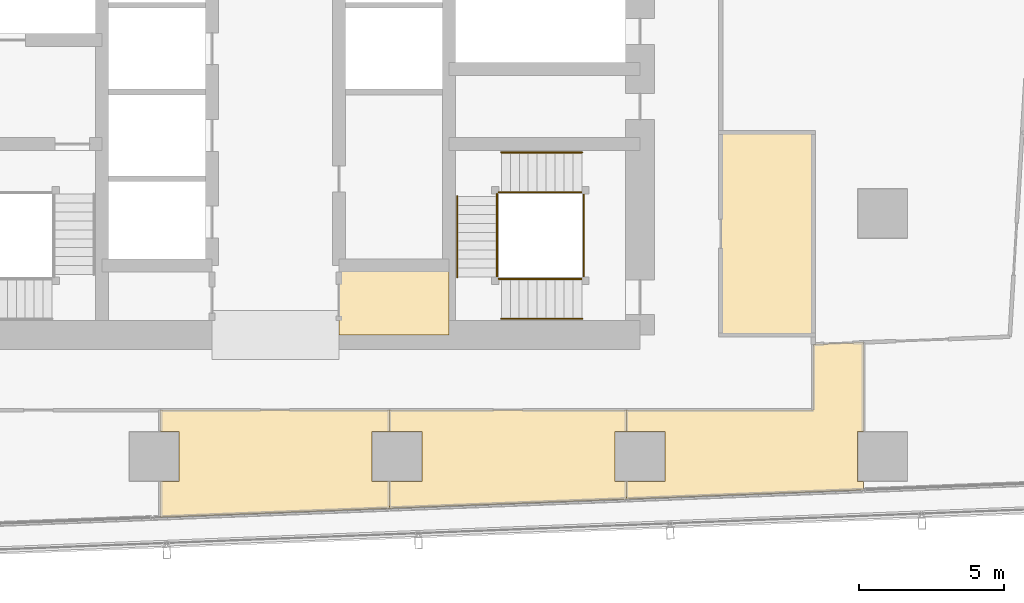
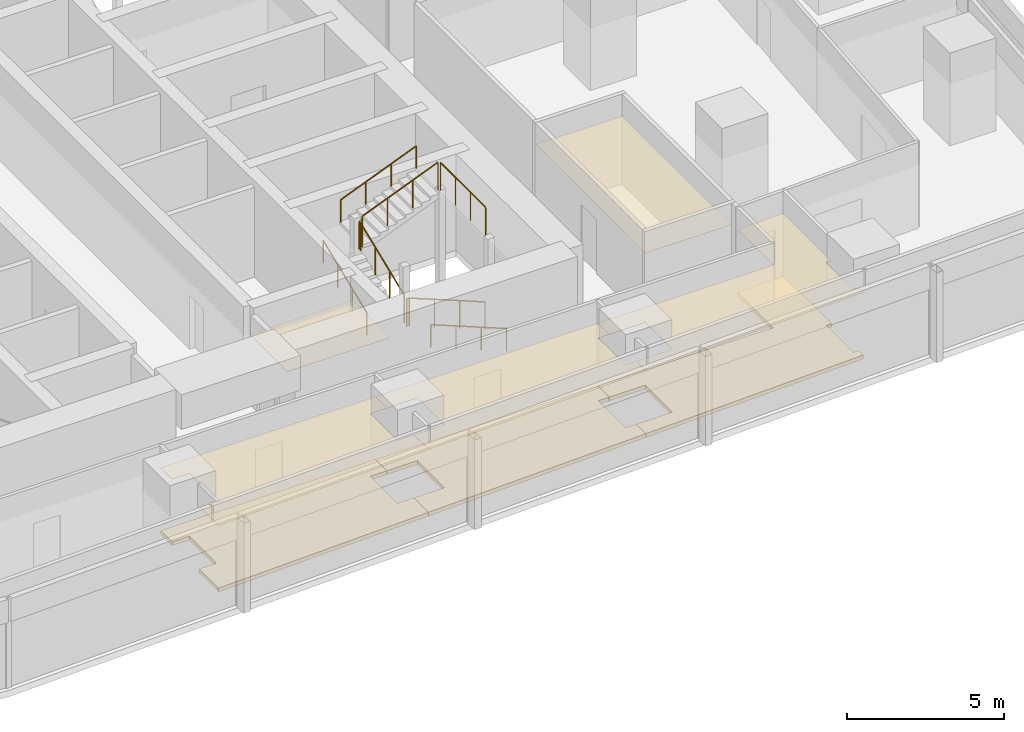
# One storey, part 37 of 40: 10 railings, 8 coverings.
"""IFC4 building model written with IfcOpenShell, lengths in metres."""

import ifcopenshell
import ifcopenshell.guid

model = None  # the IFC model being written
_history = None  # IfcOwnerHistory: only IFC2X3 demands one
_inside = {}  # id of a spatial element -> (the spatial element, [elements in it])
_under = {}  # id of a project, library or spatial element -> (it, [spatial elements below it])
_declared = {}  # id of a project -> (the project, [libraries it declares])
_typed = {}  # id of a type object -> (the type object, [elements of that type])
_made_of = {}  # id of a material, layer set ... -> (it, [elements and type objects made of it])


def new_model(schema):
    """Start an empty IFC model of exactly this schema.

    Asked for "IFC4X3", IfcOpenShell would pick the latest addendum, in which some entities
    have other attributes; the version numbers below select the first issue.
    IFC2X3 requires an IfcOwnerHistory on every rooted entity: one is made here for all.
    """
    global model, _history
    if schema == "IFC4X3":
        model = ifcopenshell.file(schema_version=(4, 3, 0, 0))
    else:
        model = ifcopenshell.file(schema=schema)
    _inside.clear()
    _under.clear()
    _declared.clear()
    _typed.clear()
    _made_of.clear()
    _history = None
    if model.schema == "IFC2X3":
        org = make("IfcOrganization", Name="unknown")
        user = make(
            "IfcPersonAndOrganization",
            ThePerson=make("IfcPerson", FamilyName="unknown"),
            TheOrganization=org,
        )
        app = make(
            "IfcApplication",
            ApplicationDeveloper=org,
            Version="unknown",
            ApplicationFullName="unknown",
            ApplicationIdentifier="unknown",
        )
        _history = make(
            "IfcOwnerHistory",
            OwningUser=user,
            OwningApplication=app,
            ChangeAction="ADDED",
            CreationDate=0,
        )
    return model


def make(cls, **values):
    """One entity of the class cls with the attributes given. An attribute that is None is left unset."""
    return model.create_entity(
        cls, **{name: value for name, value in values.items() if value is not None}
    )


def rooted(cls, **values):
    """An entity with a GlobalId (a new one), such as an element, a storey or a relation."""
    return make(cls, GlobalId=ifcopenshell.guid.new(), OwnerHistory=_history, **values)


def si_unit(unit_type, name, prefix=None):
    """IfcSIUnit, for example si_unit("LENGTHUNIT", "METRE", prefix="MILLI")."""
    return make("IfcSIUnit", UnitType=unit_type, Prefix=prefix, Name=name)


def assignment(units):
    """IfcUnitAssignment: the units of a project."""
    return None if units is None else make("IfcUnitAssignment", Units=units)


def point(xyz):
    """IfcCartesianPoint."""
    return None if xyz is None else make("IfcCartesianPoint", Coordinates=xyz)


def direction(xyz):
    """IfcDirection."""
    return None if xyz is None else make("IfcDirection", DirectionRatios=xyz)


def frame(location, z_axis=None, x_axis=None):
    """IfcAxis2Placement3D, a coordinate frame: its origin and axes. An axis left out is left unset."""
    return make(
        "IfcAxis2Placement3D",
        Location=point(location),
        Axis=direction(z_axis),
        RefDirection=direction(x_axis),
    )


def frame_2d(location, x_axis=None):
    """IfcAxis2Placement2D, a coordinate frame in the plane: its origin and x axis."""
    return make(
        "IfcAxis2Placement2D", Location=point(location), RefDirection=direction(x_axis)
    )


def origin():
    """The frame at (0, 0, 0) with its axes left unset."""
    return frame((0.0, 0.0, 0.0))


def origin_2d():
    """The frame at (0, 0) in the plane with its x axis left unset."""
    return frame_2d((0.0, 0.0))


def place(relative_to, where):
    """IfcLocalPlacement: puts the frame where relative to a parent placement (None: the world)."""
    return make(
        "IfcLocalPlacement", PlacementRelTo=relative_to, RelativePlacement=where
    )


def context(
    kind, dimensions, precision=None, world=None, true_north=None, identifier=None
):
    """IfcGeometricRepresentationContext, for example the 3D "Model" context."""
    return make(
        "IfcGeometricRepresentationContext",
        ContextIdentifier=identifier,
        ContextType=kind,
        CoordinateSpaceDimension=dimensions,
        Precision=precision,
        WorldCoordinateSystem=world,
        TrueNorth=true_north,
    )


def subcontext(parent, identifier, kind, view, scale=None):
    """IfcGeometricRepresentationSubContext, for example "Body" below "Model"."""
    return make(
        "IfcGeometricRepresentationSubContext",
        ContextIdentifier=identifier,
        ContextType=kind,
        ParentContext=parent,
        TargetScale=scale,
        TargetView=view,
    )


def project(units=None, contexts=None):
    """IfcProject with its units and contexts."""
    return rooted(
        "IfcProject",
        Name="project",
        RepresentationContexts=contexts,
        UnitsInContext=assignment(units),
    )


def spatial(cls, under=None, at=None, **own):
    """A site, building, storey or space (cls), placed at a placement, below another one or the project."""
    s = rooted(cls, ObjectPlacement=at, **own)
    if under is not None:
        _under.setdefault(under.id(), (under, []))[1].append(s)
    return s


def polyline(points):
    """IfcPolyline through the points."""
    return make("IfcPolyline", Points=[point(p) for p in points])


def profile(cls, at=None, kind="AREA", **sizes):
    """A parametric profile (cls). Its sizes go by their IFC names, for example OverallWidth=200.0."""
    return make(cls, ProfileType=kind, Position=at, **sizes)


def circle(**sizes):
    """IfcCircleProfileDef."""
    return profile("IfcCircleProfileDef", **sizes)


def outline(outer, holes=None, kind="AREA"):
    """IfcArbitraryClosedProfileDef: a profile drawn as a closed curve; with holes, ...WithVoids."""
    if holes is None:
        return make("IfcArbitraryClosedProfileDef", ProfileType=kind, OuterCurve=outer)
    return make(
        "IfcArbitraryProfileDefWithVoids",
        ProfileType=kind,
        OuterCurve=outer,
        InnerCurves=holes,
    )


def extrude(swept, where, along, depth):
    """IfcExtrudedAreaSolid: the profile swept, set in the frame where, extruded along a direction by depth."""
    return make(
        "IfcExtrudedAreaSolid",
        SweptArea=swept,
        Position=where,
        ExtrudedDirection=direction(along),
        Depth=depth,
    )


def shape(context_of_items, identifier, shape_type, items):
    """IfcShapeRepresentation: the items that make up one representation, for example the "Body"."""
    return make(
        "IfcShapeRepresentation",
        ContextOfItems=context_of_items,
        RepresentationIdentifier=identifier,
        RepresentationType=shape_type,
        Items=items,
    )


def material(Name=None, Category=None):
    """IfcMaterial."""
    return make("IfcMaterial", Name=Name, Category=Category)


def layer(
    of_material, thickness, ventilated=None, Name=None, Category=None, Priority=None
):
    """IfcMaterialLayer: one layer of a wall or slab, of a material (None: an air gap)."""
    return make(
        "IfcMaterialLayer",
        Material=of_material,
        LayerThickness=thickness,
        IsVentilated=ventilated,
        Name=Name,
        Category=Category,
        Priority=Priority,
    )


def layer_set(layers, Name=None):
    """IfcMaterialLayerSet."""
    return make("IfcMaterialLayerSet", MaterialLayers=layers, LayerSetName=Name)


def made_of(thing, what):
    """Note that an element or type object is made of a material, layer set ...; save() writes the relation."""
    if what is not None:
        _made_of.setdefault(what.id(), (what, []))[1].append(thing)
    return thing


def type_object(cls, material=None, **own):
    """A type object (cls), such as IfcWallType, which elements share."""
    return made_of(rooted(cls, **own), material)


def element(
    cls,
    number,
    at=None,
    inside=None,
    cuts=None,
    type_object=None,
    material=None,
    context=None,
    identifier="Body",
    shape_type=None,
    held_by="IfcProductDefinitionShape",
    body=None,
    shapes=None,
    **own,
):
    """One element of the class cls, such as IfcWall. Its Tag is "e" and its number.

    at: its placement. inside: the storey or other place that contains it. cuts: it is an
    opening in that element (IfcRelVoidsElement). A single representation is given by context,
    identifier, shape_type and body (its items); several are given by shapes. held_by: the class
    of the entity that holds the representations. save() writes the other relations.
    """
    e = rooted(cls, Tag="e%d" % number, ObjectPlacement=at, **own)
    if body is not None:
        shapes = [shape(context, identifier, shape_type, body)]
    if shapes is not None:
        e.Representation = make(held_by, Representations=shapes)
    if inside is not None:
        _inside.setdefault(inside.id(), (inside, []))[1].append(e)
    if cuts is not None:
        rooted(
            "IfcRelVoidsElement", RelatingBuildingElement=cuts, RelatedOpeningElement=e
        )
    if type_object is not None:
        _typed.setdefault(type_object.id(), (type_object, []))[1].append(e)
    return made_of(e, material)


def aggregate(whole, parts):
    """IfcRelAggregates: a whole, such as a stair, and the parts it consists of."""
    return rooted("IfcRelAggregates", RelatingObject=whole, RelatedObjects=parts)


def save(model, path):
    """Write the relations noted so far, then the file.

    IfcRelAggregates (storeys below a building ...), IfcRelContainedInSpatialStructure (elements
    in a storey), IfcRelDefinesByType, IfcRelAssociatesMaterial and IfcRelDeclares: one each for
    every whole, place, type object, material and project.
    """
    for whole, parts in _under.values():
        aggregate(whole, parts)
    for where, things in _inside.values():
        rooted(
            "IfcRelContainedInSpatialStructure",
            RelatedElements=things,
            RelatingStructure=where,
        )
    for kind, things in _typed.values():
        rooted("IfcRelDefinesByType", RelatedObjects=things, RelatingType=kind)
    for what, things in _made_of.values():
        rooted("IfcRelAssociatesMaterial", RelatedObjects=things, RelatingMaterial=what)
    for by, libraries in _declared.values():
        rooted("IfcRelDeclares", RelatingContext=by, RelatedDefinitions=libraries)
    model.write(path)


model = new_model("IFC4")

# Units and contexts
model_context = context("Model", 3, precision=1e-05, world=origin(), true_north=direction((0.0, 1.0)))
body_context = subcontext(model_context, "Body", "Model", "MODEL_VIEW")
ifc_project = project(units=[si_unit("LENGTHUNIT", "METRE"), si_unit("AREAUNIT", "SQUARE_METRE"), si_unit("VOLUMEUNIT", "CUBIC_METRE"), si_unit("PLANEANGLEUNIT", "RADIAN"), si_unit("MASSUNIT", "GRAM", prefix="KILO")], contexts=[model_context])

# Site, building, storey
site_placement = place(None, origin())
site = spatial("IfcSite", under=ifc_project, at=site_placement, CompositionType="ELEMENT")
building_placement = place(site_placement, origin())
building = spatial("IfcBuilding", under=site, at=building_placement, Name="Rekha Terrace Tower", CompositionType="ELEMENT")
storey_placement = place(building_placement, frame((0.0, 0.0, 136.550048828125)))
storey = spatial("IfcBuildingStorey", under=building, at=storey_placement, Name="L34", CompositionType="ELEMENT", Elevation=136.550048828125)

# Coverings
ifc_material_1 = material(Name="Mineral fibre tile in exposed grid", Category="finish")
ifc_layer_1 = layer(ifc_material_1, 0.02001953125)
ifc_layer_set_1 = layer_set([ifc_layer_1], Name="Mineral fibre tile in exposed grid")
covering_type_1 = type_object("IfcCoveringType", Name="CL1 600x1200 office grid ceiling", PredefinedType="CEILING", material=ifc_layer_set_1)
covering_1_placement = place(storey_placement, frame((0.0, 0.0, 2.579833984375)))
element("IfcCovering", 1, at=covering_1_placement, inside=storey, type_object=covering_type_1, Name="Ceiling L34-02", PredefinedType="CEILING", context=body_context, shape_type="SweptSolid", body=[
    extrude(outline(polyline([(49.93603515625, 17.6650390625), (49.93603515625, 18.39990234375), (41.740966796875, 18.39990234375), (41.740966796875, 17.6650390625), (42.864990234375, 17.6650390625), (42.864990234375, 15.93505859375), (41.740966796875, 15.93505859375), (41.740966796875, 15.0), (49.93603515625, 15.319091796875), (49.93603515625, 15.93505859375), (49.534912109375, 15.93505859375), (49.534912109375, 17.6650390625), (49.93603515625, 17.6650390625)])), origin(), (0.0, 0.0, 1.0), 0.02001953125),
])
covering_2_placement = place(storey_placement, frame((0.0, 0.0, 2.579833984375)))
element("IfcCovering", 2, at=covering_2_placement, inside=storey, type_object=covering_type_1, Name="Ceiling L34-03", PredefinedType="CEILING", context=body_context, shape_type="SweptSolid", body=[
    extrude(outline(polyline([(56.39990234375, 20.674072265625), (56.39990234375, 18.39990234375), (49.93701171875, 18.39990234375), (49.93701171875, 17.6650390625), (51.264892578125, 17.6650390625), (51.264892578125, 15.93505859375), (49.93701171875, 15.93505859375), (49.93701171875, 15.319091796875), (58.133056640625, 15.637939453125), (58.133056640625, 15.93505859375), (57.93505859375, 15.93505859375), (57.93505859375, 17.6650390625), (58.133056640625, 17.6650390625), (58.133056640625, 20.741943359375), (56.39990234375, 20.674072265625)])), origin(), (0.0, 0.0, 1.0), 0.02001953125),
])
covering_3_placement = place(storey_placement, frame((0.0, 0.0, 2.579833984375)))
element("IfcCovering", 3, at=covering_3_placement, inside=storey, type_object=covering_type_1, Name="Ceiling L34-09", PredefinedType="CEILING", context=body_context, shape_type="SweptSolid", body=[
    extrude(outline(polyline([(41.739990234375, 17.6650390625), (41.739990234375, 18.39990234375), (33.825927734375, 18.39990234375), (33.825927734375, 17.6650390625), (34.465087890625, 17.6650390625), (34.465087890625, 15.93505859375), (33.825927734375, 15.93505859375), (33.825927734375, 14.69189453125), (41.739990234375, 15.0), (41.739990234375, 15.93505859375), (41.135009765625, 15.93505859375), (41.135009765625, 17.6650390625), (41.739990234375, 17.6650390625)])), origin(), (0.0, 0.0, 1.0), 0.02001953125),
])
ifc_material_2 = material(Name="Fibre cement board", Category="finish")
ifc_layer_2 = layer(ifc_material_2, 0.014892578125)
ifc_layer_set_2 = layer_set([ifc_layer_2], Name="Fibre cement board")
covering_type_2 = type_object("IfcCoveringType", Name="CL2 moisture-resistant board ceiling", PredefinedType="CEILING", material=ifc_layer_set_2)
covering_4_placement = place(storey_placement, frame((0.0, 0.0, 2.5849609375)))
element("IfcCovering", 4, at=covering_4_placement, inside=storey, type_object=covering_type_2, Name="Ceiling L34-WCA", PredefinedType="CEILING", context=body_context, shape_type="SweptSolid", body=[
    extrude(outline(polyline([(43.800048828125, 23.39990234375), (40.0, 23.39990234375), (40.0, 21.0), (43.800048828125, 21.0), (43.800048828125, 23.39990234375)])), origin(), (0.0, 0.0, 1.0), 0.014892578125),
])
covering_5_placement = place(storey_placement, frame((0.0, 0.0, 2.5849609375)))
element("IfcCovering", 5, at=covering_5_placement, inside=storey, type_object=covering_type_2, Name="Ceiling L34-WCM2", PredefinedType="CEILING", context=body_context, shape_type="SweptSolid", body=[
    extrude(outline(polyline([(56.39990234375, 28.0), (53.199951171875, 28.0), (53.199951171875, 21.0), (56.39990234375, 21.0), (56.39990234375, 28.0)])), origin(), (0.0, 0.0, 1.0), 0.014892578125),
])

# Railings
ifc_material_3 = material(Name="Stainless steel balustrade", Category="steel")
railing_type_1 = type_object("IfcRailingType", Name="GR1 1100 stair guard", PredefinedType="GUARDRAIL", material=ifc_material_3)
railing_1_placement = place(storey_placement, frame((48.39990234375, 22.93994140625, 0.125)))
element("IfcRailing", 6, at=railing_1_placement, inside=storey, type_object=railing_type_1, Name="Guard ST3 L34 flight 1", PredefinedType="GUARDRAIL", context=body_context, shape_type="SweptSolid", body=[
    extrude(circle(Radius=0.02392578125, at=origin_2d()), frame((0.0, 0.0, 1.076171875), z_axis=(-0.927431937212, 0.0, 0.373991980981), x_axis=(0.0, -1.0, 0.0)), (0.0, 0.0, 1.0), 3.008056640625),
    extrude(circle(Radius=0.02099609375, at=origin_2d()), origin(), (0.0, 0.0, 1.0), 1.052001953125),
    extrude(circle(Radius=0.02099609375, at=origin_2d()), frame((-0.929931640625, 0.0, 0.375)), (0.0, 0.0, 1.0), 1.052001953125),
    extrude(circle(Radius=0.02099609375, at=origin_2d()), frame((-1.85986328125, 0.0, 0.75)), (0.0, 0.0, 1.0), 1.052001953125),
    extrude(circle(Radius=0.02099609375, at=origin_2d()), frame((-2.789794921875, 0.0, 1.125)), (0.0, 0.0, 1.0), 1.052001953125),
])
railing_2_placement = place(storey_placement, frame((45.465087890625, 23.0, 1.375)))
element("IfcRailing", 7, at=railing_2_placement, inside=storey, type_object=railing_type_1, Name="Guard ST3 L34 flight 2", PredefinedType="GUARDRAIL", context=body_context, shape_type="SweptSolid", body=[
    extrude(circle(Radius=0.02392578125, at=origin_2d()), frame((0.0, 0.0, 1.076171875), z_axis=(0.0, 0.927443287984, 0.373963831907), x_axis=(-1.0, 0.0, 0.0)), (0.0, 0.0, 1.0), 3.00830078125),
    extrude(circle(Radius=0.02099609375, at=origin_2d()), origin(), (0.0, 0.0, 1.0), 1.052001953125),
    extrude(circle(Radius=0.02099609375, at=origin_2d()), frame((0.0, 0.929931640625, 0.375)), (0.0, 0.0, 1.0), 1.052001953125),
    extrude(circle(Radius=0.02099609375, at=origin_2d()), frame((0.0, 1.860107421875, 0.75)), (0.0, 0.0, 1.0), 1.052001953125),
    extrude(circle(Radius=0.02099609375, at=origin_2d()), frame((0.0, 2.7900390625, 1.125)), (0.0, 0.0, 1.0), 1.052001953125),
])
railing_3_placement = place(storey_placement, frame((45.610107421875, 25.93505859375, 2.625)))
element("IfcRailing", 8, at=railing_3_placement, inside=storey, type_object=railing_type_1, Name="Guard ST3 L34 flight 3", PredefinedType="GUARDRAIL", context=body_context, shape_type="SweptSolid", body=[
    extrude(circle(Radius=0.02392578125, at=origin_2d()), frame((0.0, 0.0, 1.076171875), z_axis=(0.927431937212, 0.0, 0.373991980981), x_axis=(0.0, 1.0, 0.0)), (0.0, 0.0, 1.0), 3.008056640625),
    extrude(circle(Radius=0.02099609375, at=origin_2d()), origin(), (0.0, 0.0, 1.0), 1.052001953125),
    extrude(circle(Radius=0.02099609375, at=origin_2d()), frame((0.929931640625, 0.0, 0.375)), (0.0, 0.0, 1.0), 1.052001953125),
    extrude(circle(Radius=0.02099609375, at=origin_2d()), frame((1.85986328125, 0.0, 0.75)), (0.0, 0.0, 1.0), 1.052001953125),
    extrude(circle(Radius=0.02099609375, at=origin_2d()), frame((2.789794921875, 0.0, 1.125)), (0.0, 0.0, 1.0), 1.052001953125),
])
railing_4_placement = place(storey_placement, frame((45.610107421875, 22.93994140625, 1.25)))
element("IfcRailing", 9, at=railing_4_placement, inside=storey, type_object=railing_type_1, Name="Guard ST3 L34 landing 1", PredefinedType="GUARDRAIL", context=body_context, shape_type="SweptSolid", body=[
    extrude(circle(Radius=0.02392578125, at=origin_2d()), frame((0.0, 0.0, 1.076171875), z_axis=(-1.0, 0.0, 0.0), x_axis=(0.0, -1.0, 0.0)), (0.0, 0.0, 1.0), 0.085205078125),
    extrude(circle(Radius=0.02099609375, at=origin_2d()), origin(), (0.0, 0.0, 1.0), 1.052001953125),
    extrude(circle(Radius=0.02099609375, at=origin_2d()), frame((-0.085205078125, 0.0, 0.0)), (0.0, 0.0, 1.0), 1.052001953125),
])
railing_5_placement = place(storey_placement, frame((45.465087890625, 25.7900390625, 2.5)))
element("IfcRailing", 10, at=railing_5_placement, inside=storey, type_object=railing_type_1, Name="Guard ST3 L34 landing 2", PredefinedType="GUARDRAIL", context=body_context, shape_type="SweptSolid", body=[
    extrude(circle(Radius=0.02392578125, at=origin_2d()), frame((0.0, 0.0, 1.076171875), z_axis=(0.0, 1.0, 0.0), x_axis=(-1.0, 0.0, 0.0)), (0.0, 0.0, 1.0), 0.0849609375),
    extrude(circle(Radius=0.02099609375, at=origin_2d()), origin(), (0.0, 0.0, 1.0), 1.052001953125),
    extrude(circle(Radius=0.02099609375, at=origin_2d()), frame((0.0, 0.0849609375, 0.0)), (0.0, 0.0, 1.0), 1.052001953125),
])
railing_6_placement = place(storey_placement, frame((45.610107421875, 25.93505859375, 2.5)))
element("IfcRailing", 11, at=railing_6_placement, inside=storey, type_object=railing_type_1, Name="Guard ST3 L34 landing 3", PredefinedType="GUARDRAIL", context=body_context, shape_type="SweptSolid", body=[
    extrude(circle(Radius=0.02392578125, at=origin_2d()), frame((0.0, 0.0, 1.076171875), z_axis=(-1.0, 0.0, 0.0), x_axis=(0.0, -1.0, 0.0)), (0.0, 0.0, 1.0), 0.085205078125),
    extrude(circle(Radius=0.02099609375, at=origin_2d()), origin(), (0.0, 0.0, 1.0), 1.052001953125),
    extrude(circle(Radius=0.02099609375, at=origin_2d()), frame((-0.085205078125, 0.0, 0.0)), (0.0, 0.0, 1.0), 1.052001953125),
])
railing_7_placement = place(storey_placement, frame((48.4599609375, 23.0, 3.75)))
element("IfcRailing", 12, at=railing_7_placement, inside=storey, type_object=railing_type_1, Name="Guard ST3 L34 landing 4", PredefinedType="GUARDRAIL", context=body_context, shape_type="SweptSolid", body=[
    extrude(circle(Radius=0.02392578125, at=origin_2d()), frame((0.0, 0.0, 1.076171875), z_axis=(0.0, 1.0, 0.0), x_axis=(-1.0, 0.0, 0.0)), (0.0, 0.0, 1.0), 2.875),
    extrude(circle(Radius=0.02099609375, at=origin_2d()), origin(), (0.0, 0.0, 1.0), 1.052001953125),
    extrude(circle(Radius=0.02099609375, at=origin_2d()), frame((0.0, 0.958251953125, 0.0)), (0.0, 0.0, 1.0), 1.052001953125),
    extrude(circle(Radius=0.02099609375, at=origin_2d()), frame((0.0, 1.916748046875, 0.0)), (0.0, 0.0, 1.0), 1.052001953125),
    extrude(circle(Radius=0.02099609375, at=origin_2d()), frame((0.0, 2.875, 0.0)), (0.0, 0.0, 1.0), 1.052001953125),
])
ifc_material_4 = material(Name="Stainless steel tube", Category="steel")
railing_type_2 = type_object("IfcRailingType", Name="HR1 900 stair handrail", PredefinedType="HANDRAIL", material=ifc_material_4)
railing_8_placement = place(storey_placement, frame((48.39990234375, 21.56005859375, 0.125)))
element("IfcRailing", 13, at=railing_8_placement, inside=storey, type_object=railing_type_2, Name="Handrail ST3 L34 flight 1", PredefinedType="HANDRAIL", context=body_context, shape_type="SweptSolid", body=[
    extrude(circle(Radius=0.02392578125, at=origin_2d()), frame((0.0, 0.0, 0.8759765625), z_axis=(-0.927431937212, 0.0, 0.373991980981), x_axis=(0.0, -1.0, 0.0)), (0.0, 0.0, 1.0), 3.008056640625),
    extrude(circle(Radius=0.02099609375, at=origin_2d()), origin(), (0.0, 0.0, 1.0), 0.851806640625),
    extrude(circle(Radius=0.02099609375, at=origin_2d()), frame((-0.929931640625, 0.0, 0.375)), (0.0, 0.0, 1.0), 0.851806640625),
    extrude(circle(Radius=0.02099609375, at=origin_2d()), frame((-1.85986328125, 0.0, 0.75)), (0.0, 0.0, 1.0), 0.851806640625),
    extrude(circle(Radius=0.02099609375, at=origin_2d()), frame((-2.789794921875, 0.0, 1.125)), (0.0, 0.0, 1.0), 0.851806640625),
])
railing_9_placement = place(storey_placement, frame((44.0849609375, 23.0, 1.375)))
element("IfcRailing", 14, at=railing_9_placement, inside=storey, type_object=railing_type_2, Name="Handrail ST3 L34 flight 2", PredefinedType="HANDRAIL", context=body_context, shape_type="SweptSolid", body=[
    extrude(circle(Radius=0.02392578125, at=origin_2d()), frame((0.0, 0.0, 0.8759765625), z_axis=(0.0, 0.927443287984, 0.373963831907), x_axis=(-1.0, 0.0, 0.0)), (0.0, 0.0, 1.0), 3.00830078125),
    extrude(circle(Radius=0.02099609375, at=origin_2d()), origin(), (0.0, 0.0, 1.0), 0.851806640625),
    extrude(circle(Radius=0.02099609375, at=origin_2d()), frame((0.0, 0.929931640625, 0.375)), (0.0, 0.0, 1.0), 0.851806640625),
    extrude(circle(Radius=0.02099609375, at=origin_2d()), frame((0.0, 1.860107421875, 0.75)), (0.0, 0.0, 1.0), 0.851806640625),
    extrude(circle(Radius=0.02099609375, at=origin_2d()), frame((0.0, 2.7900390625, 1.125)), (0.0, 0.0, 1.0), 0.851806640625),
])
railing_10_placement = place(storey_placement, frame((45.610107421875, 27.31494140625, 2.625)))
element("IfcRailing", 15, at=railing_10_placement, inside=storey, type_object=railing_type_2, Name="Handrail ST3 L34 flight 3", PredefinedType="HANDRAIL", context=body_context, shape_type="SweptSolid", body=[
    extrude(circle(Radius=0.02392578125, at=origin_2d()), frame((0.0, 0.0, 0.8759765625), z_axis=(0.927431937212, 0.0, 0.373991980981), x_axis=(0.0, 1.0, 0.0)), (0.0, 0.0, 1.0), 3.008056640625),
    extrude(circle(Radius=0.02099609375, at=origin_2d()), origin(), (0.0, 0.0, 1.0), 0.851806640625),
    extrude(circle(Radius=0.02099609375, at=origin_2d()), frame((0.929931640625, 0.0, 0.375)), (0.0, 0.0, 1.0), 0.851806640625),
    extrude(circle(Radius=0.02099609375, at=origin_2d()), frame((1.85986328125, 0.0, 0.75)), (0.0, 0.0, 1.0), 0.851806640625),
    extrude(circle(Radius=0.02099609375, at=origin_2d()), frame((2.789794921875, 0.0, 1.125)), (0.0, 0.0, 1.0), 0.851806640625),
])

# Coverings
ifc_material_5 = material(Name="Calcium sulphate panels on steel pedestals", Category="steel")
ifc_layer_3 = layer(ifc_material_5, 0.14990234375)
ifc_layer_set_3 = layer_set([ifc_layer_3], Name="Calcium sulphate panels on steel pedestals")
covering_type_3 = type_object("IfcCoveringType", Name="RF1 150 raised access floor", PredefinedType="FLOORING", material=ifc_layer_set_3)
covering_6_placement = place(storey_placement, origin())
element("IfcCovering", 16, at=covering_6_placement, inside=storey, type_object=covering_type_3, Name="Raised floor L34-02", PredefinedType="FLOORING", context=body_context, shape_type="SweptSolid", body=[
    extrude(outline(polyline([(49.93603515625, 17.6650390625), (49.93603515625, 18.39990234375), (41.740966796875, 18.39990234375), (41.740966796875, 17.6650390625), (42.864990234375, 17.6650390625), (42.864990234375, 15.93505859375), (41.740966796875, 15.93505859375), (41.740966796875, 15.0), (49.93603515625, 15.319091796875), (49.93603515625, 15.93505859375), (49.534912109375, 15.93505859375), (49.534912109375, 17.6650390625), (49.93603515625, 17.6650390625)])), origin(), (0.0, 0.0, 1.0), 0.14990234375),
])
covering_7_placement = place(storey_placement, origin())
element("IfcCovering", 17, at=covering_7_placement, inside=storey, type_object=covering_type_3, Name="Raised floor L34-03", PredefinedType="FLOORING", context=body_context, shape_type="SweptSolid", body=[
    extrude(outline(polyline([(56.39990234375, 20.674072265625), (56.39990234375, 18.39990234375), (49.93701171875, 18.39990234375), (49.93701171875, 17.6650390625), (51.264892578125, 17.6650390625), (51.264892578125, 15.93505859375), (49.93701171875, 15.93505859375), (49.93701171875, 15.319091796875), (58.133056640625, 15.637939453125), (58.133056640625, 15.93505859375), (57.93505859375, 15.93505859375), (57.93505859375, 17.6650390625), (58.133056640625, 17.6650390625), (58.133056640625, 20.741943359375), (56.39990234375, 20.674072265625)])), origin(), (0.0, 0.0, 1.0), 0.14990234375),
])
covering_8_placement = place(storey_placement, origin())
element("IfcCovering", 18, at=covering_8_placement, inside=storey, type_object=covering_type_3, Name="Raised floor L34-09", PredefinedType="FLOORING", context=body_context, shape_type="SweptSolid", body=[
    extrude(outline(polyline([(41.739990234375, 17.6650390625), (41.739990234375, 18.39990234375), (33.825927734375, 18.39990234375), (33.825927734375, 17.6650390625), (34.465087890625, 17.6650390625), (34.465087890625, 15.93505859375), (33.825927734375, 15.93505859375), (33.825927734375, 14.69189453125), (41.739990234375, 15.0), (41.739990234375, 15.93505859375), (41.135009765625, 15.93505859375), (41.135009765625, 17.6650390625), (41.739990234375, 17.6650390625)])), origin(), (0.0, 0.0, 1.0), 0.14990234375),
])

save(model, "model.ifc")
